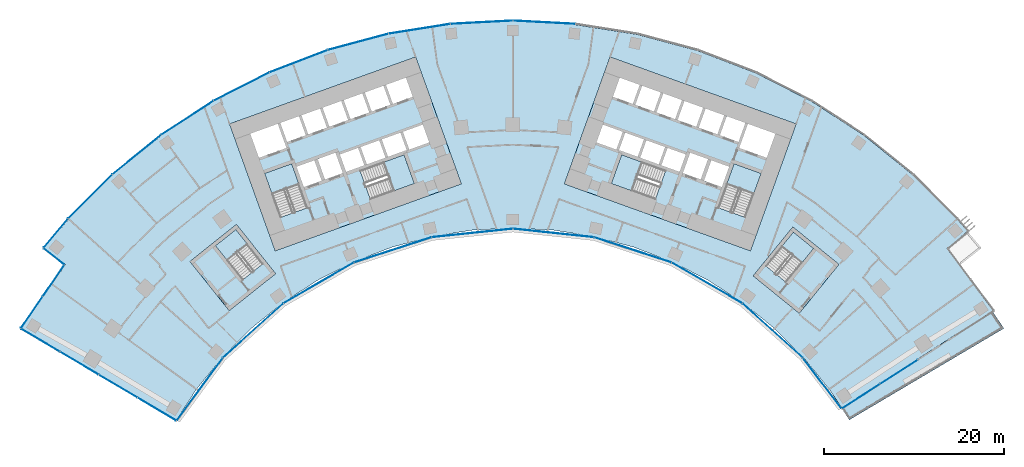
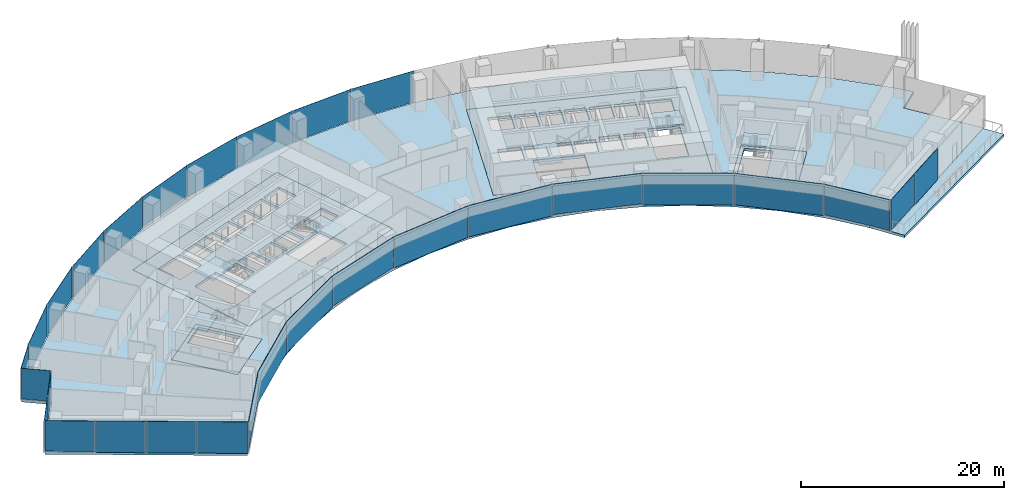
# One storey, part 12 of 21: 29 plates, 12 slabs, 12 elements without a shape of their own.
"""IFC4 building model written with IfcOpenShell, lengths in metres."""

from ifc_helpers import new_model, si_unit, direction, frame, origin, origin_2d, place, context, subcontext, project, spatial, polyline, rectangle, outline, extrude, material, layer, layer_set, type_object, element, aggregate, save


model = new_model("IFC4")

# Units and contexts
model_context = context("Model", 3, precision=1e-05, world=origin(), true_north=direction((0.0, 1.0)))
body_context = subcontext(model_context, "Body", "Model", "MODEL_VIEW")
ifc_project = project(units=[si_unit("LENGTHUNIT", "METRE"), si_unit("AREAUNIT", "SQUARE_METRE"), si_unit("VOLUMEUNIT", "CUBIC_METRE"), si_unit("PLANEANGLEUNIT", "RADIAN"), si_unit("MASSUNIT", "GRAM", prefix="KILO")], contexts=[model_context])

# Site, building, storey
site_placement = place(None, origin())
site = spatial("IfcSite", under=ifc_project, at=site_placement, CompositionType="ELEMENT")
building_placement = place(site_placement, origin())
building = spatial("IfcBuilding", under=site, at=building_placement, Name="Stone Belt Terrace Tower", CompositionType="ELEMENT")
storey_placement = place(building_placement, frame((0.0, 0.0, 45.199951171875)))
storey = spatial("IfcBuildingStorey", under=building, at=storey_placement, Name="L10", CompositionType="ELEMENT", Elevation=45.199951171875)

# Curtain wall, plates
ifc_material_1 = material(Name="Aluminium 6063-T6 anodised frame", Category="aluminium")
ifc_layer_1 = layer(ifc_material_1, 0.14990234375)
ifc_layer_set_1 = layer_set([ifc_layer_1], Name="CW-A unitised convex-face curtain wall")
curtain_wall_type_1 = type_object("IfcCurtainWallType", Name="CW-A unitised convex-face curtain wall", PredefinedType="NOTDEFINED", material=ifc_layer_set_1)
curtain_wall_1_placement = place(storey_placement, origin())
curtain_wall_1 = element("IfcCurtainWall", 1, at=curtain_wall_1_placement, inside=storey, type_object=curtain_wall_type_1, Name="CW-A convex face L10", PredefinedType="NOTDEFINED")
ifc_material_2 = material(Name="Clear double glazed unit")
ifc_layer_2 = layer(ifc_material_2, 0.031982421875)
ifc_layer_set_2 = layer_set([ifc_layer_2], Name="CW-A glass panel 32")
plate_type_1 = type_object("IfcPlateType", Name="CW-A glass panel 32", PredefinedType="CURTAIN_PANEL", material=ifc_layer_set_2)
plate_1_placement = place(storey_placement, frame((3.4794921875, 66.392822265625, 0.0), z_axis=(0.0, 0.0, 1.0), x_axis=(-0.998629534755, 0.052335956243, 0.0)))
plate_1 = element("IfcPlate", 2, at=plate_1_placement, type_object=plate_type_1, Name="CW-A panel 9.1", PredefinedType="CURTAIN_PANEL", context=body_context, shape_type="SweptSolid", body=[
    extrude(rectangle(XDim=6.90087890625, YDim=0.031982421875, at=origin_2d()), origin(), (0.0, 0.0, 1.0), 3.800048828125),
])
plate_2_placement = place(storey_placement, frame((-3.4794921875, 66.392822265625, 0.0), z_axis=(0.0, 0.0, 1.0), x_axis=(-0.998629534755, -0.052335956243, 0.0)))
plate_2 = element("IfcPlate", 3, at=plate_2_placement, type_object=plate_type_1, Name="CW-A panel 10.1", PredefinedType="CURTAIN_PANEL", context=body_context, shape_type="SweptSolid", body=[
    extrude(rectangle(XDim=6.90087890625, YDim=0.031982421875, at=origin_2d()), origin(), (0.0, 0.0, 1.0), 3.800048828125),
])
plate_3_placement = place(storey_placement, frame((-10.400390625, 65.665283203125, 0.0), z_axis=(0.0, 0.0, 1.0), x_axis=(-0.987688340595, -0.15643446504, 0.0)))
plate_3 = element("IfcPlate", 4, at=plate_3_placement, type_object=plate_type_1, Name="CW-A panel 11.1", PredefinedType="CURTAIN_PANEL", context=body_context, shape_type="SweptSolid", body=[
    extrude(rectangle(XDim=6.90087890625, YDim=0.031982421875, at=origin_2d()), origin(), (0.0, 0.0, 1.0), 3.800048828125),
])
plate_4_placement = place(storey_placement, frame((-17.207275390625, 64.218505859375, 0.0), z_axis=(0.0, 0.0, 1.0), x_axis=(-0.965925826289, -0.258819045103, 0.0)))
plate_4 = element("IfcPlate", 5, at=plate_4_placement, type_object=plate_type_1, Name="CW-A panel 12.1", PredefinedType="CURTAIN_PANEL", context=body_context, shape_type="SweptSolid", body=[
    extrude(rectangle(XDim=6.90087890625, YDim=0.031982421875, at=origin_2d()), origin(), (0.0, 0.0, 1.0), 3.800048828125),
])
plate_5_placement = place(storey_placement, frame((-23.82568359375, 62.068115234375, 0.14013671875), z_axis=(0.0, 0.0, 1.0), x_axis=(-0.933580426497, -0.358367949545, 0.0)))
plate_5 = element("IfcPlate", 6, at=plate_5_placement, type_object=plate_type_1, Name="CW-A panel 13.1", PredefinedType="CURTAIN_PANEL", context=body_context, shape_type="SweptSolid", body=[
    extrude(rectangle(XDim=6.90087890625, YDim=0.031982421875, at=origin_2d()), origin(), (0.0, 0.0, 1.0), 3.659912109375),
])
plate_6_placement = place(storey_placement, frame((-30.18310546875, 59.237548828125, 0.0), z_axis=(0.0, 0.0, 1.0), x_axis=(-0.891006524188, -0.45399049974, 0.0)))
plate_6 = element("IfcPlate", 7, at=plate_6_placement, type_object=plate_type_1, Name="CW-A panel 14.1", PredefinedType="CURTAIN_PANEL", context=body_context, shape_type="SweptSolid", body=[
    extrude(rectangle(XDim=6.90087890625, YDim=0.031982421875, at=origin_2d()), origin(), (0.0, 0.0, 1.0), 3.800048828125),
])
plate_7_placement = place(storey_placement, frame((-36.209716796875, 55.758056640625, 0.0), z_axis=(0.0, 0.0, 1.0), x_axis=(-0.838670567945, -0.544639035015, 0.0)))
plate_7 = element("IfcPlate", 8, at=plate_7_placement, type_object=plate_type_1, Name="CW-A panel 15.1", PredefinedType="CURTAIN_PANEL", context=body_context, shape_type="SweptSolid", body=[
    extrude(rectangle(XDim=6.90087890625, YDim=0.031982421875, at=origin_2d()), origin(), (0.0, 0.0, 1.0), 3.800048828125),
])
plate_8_placement = place(storey_placement, frame((-41.839599609375, 51.667724609375, 0.0), z_axis=(0.0, 0.0, 1.0), x_axis=(-0.777145961457, -0.62932039105, 0.0)))
plate_8 = element("IfcPlate", 9, at=plate_8_placement, type_object=plate_type_1, Name="CW-A panel 16.1", PredefinedType="CURTAIN_PANEL", context=body_context, shape_type="SweptSolid", body=[
    extrude(rectangle(XDim=6.90087890625, YDim=0.031982421875, at=origin_2d()), origin(), (0.0, 0.0, 1.0), 3.800048828125),
])
plate_9_placement = place(storey_placement, frame((-47.01123046875, 47.01123046875, 0.0), z_axis=(0.0, 0.0, 1.0), x_axis=(-0.707106781187, -0.707106781187, 0.0)))
plate_9 = element("IfcPlate", 10, at=plate_9_placement, type_object=plate_type_1, Name="CW-A panel 17.1", PredefinedType="CURTAIN_PANEL", context=body_context, shape_type="SweptSolid", body=[
    extrude(rectangle(XDim=6.90087890625, YDim=0.031982421875, at=origin_2d()), origin(), (0.0, 0.0, 1.0), 3.800048828125),
])
plate_10_placement = place(storey_placement, frame((-50.84423828125, 42.92626953125, 0.0), z_axis=(0.0, 0.0, 1.0), x_axis=(-0.645291395384, -0.763936525533, 0.0)))
plate_10 = element("IfcPlate", 11, at=plate_10_placement, type_object=plate_type_1, Name="CW-A panel 18.1", PredefinedType="CURTAIN_PANEL", context=body_context, shape_type="SweptSolid", body=[
    extrude(rectangle(XDim=4.17919921875, YDim=0.031982421875, at=origin_2d()), origin(), (0.0, 0.0, 1.0), 3.800048828125),
])
aggregate(curtain_wall_1, [plate_1, plate_2, plate_3, plate_4, plate_5, plate_6, plate_7, plate_8, plate_9, plate_10])

ifc_layer_3 = layer(ifc_material_1, 0.14990234375)
ifc_layer_set_3 = layer_set([ifc_layer_3], Name="CW-B unitised concave-face curtain wall")
curtain_wall_type_2 = type_object("IfcCurtainWallType", Name="CW-B unitised concave-face curtain wall", PredefinedType="NOTDEFINED", material=ifc_layer_set_3)
curtain_wall_2_placement = place(storey_placement, origin())
curtain_wall_2 = element("IfcCurtainWall", 12, at=curtain_wall_2_placement, inside=storey, type_object=curtain_wall_type_2, Name="CW-B concave face L10", PredefinedType="NOTDEFINED")
ifc_layer_4 = layer(ifc_material_2, 0.030029296875)
ifc_layer_set_4 = layer_set([ifc_layer_4], Name="CW-B glass panel 30")
plate_type_2 = type_object("IfcPlateType", Name="CW-B glass panel 30", PredefinedType="CURTAIN_PANEL", material=ifc_layer_set_4)
plate_11_placement = place(storey_placement, frame((-34.831787109375, 25.57177734375, 0.1201171875), z_axis=(0.0, 0.0, 1.0), x_axis=(0.592159017675, 0.805821132626, 0.0)))
plate_11 = element("IfcPlate", 13, at=plate_11_placement, type_object=plate_type_2, Name="CW-B panel 1.1", PredefinedType="CURTAIN_PANEL", context=body_context, shape_type="SweptSolid", body=[
    extrude(rectangle(XDim=8.583984375, YDim=0.030029296875, at=origin_2d()), origin(), (0.0, 0.0, 1.0), 3.679931640625),
])
plate_12_placement = place(storey_placement, frame((-28.897705078125, 32.09375, 0.0), z_axis=(0.0, 0.0, 1.0), x_axis=(0.743144825477, 0.669130606359, 0.0)))
plate_12 = element("IfcPlate", 14, at=plate_12_placement, type_object=plate_type_2, Name="CW-B panel 2.1", PredefinedType="CURTAIN_PANEL", context=body_context, shape_type="SweptSolid", body=[
    extrude(rectangle(XDim=9.01318359375, YDim=0.030029296875, at=origin_2d()), origin(), (0.0, 0.0, 1.0), 3.800048828125),
])
plate_13_placement = place(storey_placement, frame((-21.59326171875, 37.40087890625, 0.0), z_axis=(0.0, 0.0, 1.0), x_axis=(0.866025403784, 0.5, 0.0)))
plate_13 = element("IfcPlate", 15, at=plate_13_placement, type_object=plate_type_2, Name="CW-B panel 3.1", PredefinedType="CURTAIN_PANEL", context=body_context, shape_type="SweptSolid", body=[
    extrude(rectangle(XDim=9.0126953125, YDim=0.030029296875, at=origin_2d()), origin(), (0.0, 0.0, 1.0), 3.800048828125),
])
plate_14_placement = place(storey_placement, frame((-13.345458984375, 41.072998046875, 0.1201171875), z_axis=(0.0, 0.0, 1.0), x_axis=(0.951056516295, 0.309016994375, 0.0)))
plate_14 = element("IfcPlate", 16, at=plate_14_placement, type_object=plate_type_2, Name="CW-B panel 4.1", PredefinedType="CURTAIN_PANEL", context=body_context, shape_type="SweptSolid", body=[
    extrude(rectangle(XDim=9.0126953125, YDim=0.030029296875, at=origin_2d()), origin(), (0.0, 0.0, 1.0), 3.679931640625),
])
plate_15_placement = place(storey_placement, frame((-4.51416015625, 42.9501953125, 0.0), z_axis=(0.0, 0.0, 1.0), x_axis=(0.994521895368, 0.104528463268, 0.0)))
plate_15 = element("IfcPlate", 17, at=plate_15_placement, type_object=plate_type_2, Name="CW-B panel 5.1", PredefinedType="CURTAIN_PANEL", context=body_context, shape_type="SweptSolid", body=[
    extrude(rectangle(XDim=9.0126953125, YDim=0.030029296875, at=origin_2d()), origin(), (0.0, 0.0, 1.0), 3.800048828125),
])
plate_16_placement = place(storey_placement, frame((4.51416015625, 42.9501953125, 0.0), z_axis=(0.0, 0.0, 1.0), x_axis=(0.994521895368, -0.104528463268, 0.0)))
plate_16 = element("IfcPlate", 18, at=plate_16_placement, type_object=plate_type_2, Name="CW-B panel 6.1", PredefinedType="CURTAIN_PANEL", context=body_context, shape_type="SweptSolid", body=[
    extrude(rectangle(XDim=9.0126953125, YDim=0.030029296875, at=origin_2d()), origin(), (0.0, 0.0, 1.0), 3.800048828125),
])
plate_17_placement = place(storey_placement, frame((13.345458984375, 41.072998046875, 0.1201171875), z_axis=(0.0, 0.0, 1.0), x_axis=(0.951056516295, -0.309016994375, 0.0)))
plate_17 = element("IfcPlate", 19, at=plate_17_placement, type_object=plate_type_2, Name="CW-B panel 7.1", PredefinedType="CURTAIN_PANEL", context=body_context, shape_type="SweptSolid", body=[
    extrude(rectangle(XDim=9.0126953125, YDim=0.030029296875, at=origin_2d()), origin(), (0.0, 0.0, 1.0), 3.679931640625),
])
plate_18_placement = place(storey_placement, frame((21.59326171875, 37.40087890625, 0.0), z_axis=(0.0, 0.0, 1.0), x_axis=(0.866025403784, -0.5, 0.0)))
plate_18 = element("IfcPlate", 20, at=plate_18_placement, type_object=plate_type_2, Name="CW-B panel 8.1", PredefinedType="CURTAIN_PANEL", context=body_context, shape_type="SweptSolid", body=[
    extrude(rectangle(XDim=9.0126953125, YDim=0.030029296875, at=origin_2d()), origin(), (0.0, 0.0, 1.0), 3.800048828125),
])
plate_19_placement = place(storey_placement, frame((28.898193359375, 32.093505859375, 0.0), z_axis=(0.0, 0.0, 1.0), x_axis=(0.743144825477, -0.669130606359, 0.0)))
plate_19 = element("IfcPlate", 21, at=plate_19_placement, type_object=plate_type_2, Name="CW-B panel 9.1", PredefinedType="CURTAIN_PANEL", context=body_context, shape_type="SweptSolid", body=[
    extrude(rectangle(XDim=9.0146484375, YDim=0.030029296875, at=origin_2d()), origin(), (0.0, 0.0, 1.0), 3.800048828125),
])
plate_20_placement = place(storey_placement, frame((34.41748046875, 26.244140625, 0.1201171875), z_axis=(0.0, 0.0, 1.0), x_axis=(0.606711628938, -0.79492200832, 0.0)))
plate_20 = element("IfcPlate", 22, at=plate_20_placement, type_object=plate_type_2, Name="CW-B panel 10.1", PredefinedType="CURTAIN_PANEL", context=body_context, shape_type="SweptSolid", body=[
    extrude(rectangle(XDim=7.010986328125, YDim=0.030029296875, at=origin_2d()), origin(), (0.0, 0.0, 1.0), 3.679931640625),
])
aggregate(curtain_wall_2, [plate_11, plate_12, plate_13, plate_14, plate_15, plate_16, plate_17, plate_18, plate_19, plate_20])

ifc_layer_5 = layer(ifc_material_1, 0.14990234375)
ifc_layer_set_5 = layer_set([ifc_layer_5], Name="CW-C stick curtain wall, horn ends and notches")
curtain_wall_type_3 = type_object("IfcCurtainWallType", Name="CW-C stick curtain wall, horn ends and notches", PredefinedType="NOTDEFINED", material=ifc_layer_set_5)
curtain_wall_3_placement = place(storey_placement, origin())
curtain_wall_3 = element("IfcCurtainWall", 23, at=curtain_wall_3_placement, inside=storey, type_object=curtain_wall_type_3, Name="CW-C end face L10", PredefinedType="NOTDEFINED")
ifc_layer_6 = layer(ifc_material_2, 0.028076171875)
ifc_layer_set_6 = layer_set([ifc_layer_6], Name="CW-C glass panel 28")
plate_type_3 = type_object("IfcPlateType", Name="CW-C glass panel 28", PredefinedType="CURTAIN_PANEL", material=ifc_layer_set_6)
plate_21_placement = place(storey_placement, frame((38.737060546875, 24.78369140625, 0.1201171875), z_axis=(0.0, 0.0, 1.0), x_axis=(0.841470984807, 0.540302305869, 0.0)))
plate_21 = element("IfcPlate", 24, at=plate_21_placement, type_object=plate_type_3, Name="CW-C panel 1.1", PredefinedType="CURTAIN_PANEL", context=body_context, shape_type="SweptSolid", body=[
    extrude(rectangle(XDim=4.96630859375, YDim=0.028076171875, at=origin_2d()), origin(), (0.0, 0.0, 1.0), 3.679931640625),
])
plate_22_placement = place(storey_placement, frame((42.95556640625, 27.4921875, 0.0), z_axis=(0.0, 0.0, 1.0), x_axis=(0.841470984807, 0.540302305869, 0.0)))
plate_22 = element("IfcPlate", 25, at=plate_22_placement, type_object=plate_type_3, Name="CW-C panel 2.1", PredefinedType="CURTAIN_PANEL", context=body_context, shape_type="SweptSolid", body=[
    extrude(rectangle(XDim=4.93994140625, YDim=0.028076171875, at=origin_2d()), origin(), (0.0, 0.0, 1.0), 3.800048828125),
])
aggregate(curtain_wall_3, [plate_21, plate_22])

# Curtain wall, plate
curtain_wall_4_placement = place(storey_placement, origin())
curtain_wall_4 = element("IfcCurtainWall", 26, at=curtain_wall_4_placement, inside=storey, type_object=curtain_wall_type_3, Name="CW-C notch face L10", PredefinedType="NOTDEFINED")
plate_23_placement = place(storey_placement, frame((-51.061279296875, 40.3388671875, 0.1201171875), z_axis=(0.0, 0.0, 1.0), x_axis=(0.783963828584, -0.620806504051, 0.0)))
plate_23 = element("IfcPlate", 27, at=plate_23_placement, type_object=plate_type_3, Name="CW-C panel 1.1", PredefinedType="CURTAIN_PANEL", context=body_context, shape_type="SweptSolid", body=[
    extrude(rectangle(XDim=2.859375, YDim=0.028076171875, at=origin_2d()), origin(), (0.0, 0.0, 1.0), 3.679931640625),
])
aggregate(curtain_wall_4, [plate_23])

# Curtain wall, plates
curtain_wall_5_placement = place(storey_placement, origin())
curtain_wall_5 = element("IfcCurtainWall", 28, at=curtain_wall_5_placement, inside=storey, type_object=curtain_wall_type_3, Name="CW-C notch face L10", PredefinedType="NOTDEFINED")
plate_24_placement = place(storey_placement, frame((-51.091552734375, 37.647705078125, 0.1201171875), z_axis=(0.0, 0.0, 1.0), x_axis=(-0.566375967567, -0.824146991357, 0.0)))
plate_24 = element("IfcPlate", 29, at=plate_24_placement, type_object=plate_type_3, Name="CW-C panel 1.1", PredefinedType="CURTAIN_PANEL", context=body_context, shape_type="SweptSolid", body=[
    extrude(rectangle(XDim=4.12060546875, YDim=0.028076171875, at=origin_2d()), origin(), (0.0, 0.0, 1.0), 3.679931640625),
])
plate_25_placement = place(storey_placement, frame((-53.501220703125, 34.141357421875, 0.0), z_axis=(0.0, 0.0, 1.0), x_axis=(-0.566375967567, -0.824146991357, 0.0)))
plate_25 = element("IfcPlate", 30, at=plate_25_placement, type_object=plate_type_3, Name="CW-C panel 2.1", PredefinedType="CURTAIN_PANEL", context=body_context, shape_type="SweptSolid", body=[
    extrude(rectangle(XDim=4.268798828125, YDim=0.028076171875, at=origin_2d()), origin(), (0.0, 0.0, 1.0), 3.800048828125),
])
aggregate(curtain_wall_5, [plate_24, plate_25])

curtain_wall_6_placement = place(storey_placement, origin())
curtain_wall_6 = element("IfcCurtainWall", 31, at=curtain_wall_6_placement, inside=storey, type_object=curtain_wall_type_3, Name="CW-C end face L10", PredefinedType="NOTDEFINED")
plate_26_placement = place(storey_placement, frame((-52.54736328125, 31.014892578125, 0.1201171875), z_axis=(0.0, 0.0, 1.0), x_axis=(0.860557728521, -0.509352918793, 0.0)))
plate_26 = element("IfcPlate", 32, at=plate_26_placement, type_object=plate_type_3, Name="CW-C panel 1.1", PredefinedType="CURTAIN_PANEL", context=body_context, shape_type="SweptSolid", body=[
    extrude(rectangle(XDim=4.974853515625, YDim=0.028076171875, at=origin_2d()), origin(), (0.0, 0.0, 1.0), 3.679931640625),
])
plate_27_placement = place(storey_placement, frame((-48.2294921875, 28.459228515625, 0.0), z_axis=(0.0, 0.0, 1.0), x_axis=(0.860557728521, -0.509352918793, 0.0)))
plate_27 = element("IfcPlate", 33, at=plate_27_placement, type_object=plate_type_3, Name="CW-C panel 2.1", PredefinedType="CURTAIN_PANEL", context=body_context, shape_type="SweptSolid", body=[
    extrude(rectangle(XDim=4.93994140625, YDim=0.028076171875, at=origin_2d()), origin(), (0.0, 0.0, 1.0), 3.800048828125),
])
plate_28_placement = place(storey_placement, frame((-43.9267578125, 25.912353515625, 0.0), z_axis=(0.0, 0.0, 1.0), x_axis=(0.860557728521, -0.509352918793, 0.0)))
plate_28 = element("IfcPlate", 34, at=plate_28_placement, type_object=plate_type_3, Name="CW-C panel 3.1", PredefinedType="CURTAIN_PANEL", context=body_context, shape_type="SweptSolid", body=[
    extrude(rectangle(XDim=4.93994140625, YDim=0.028076171875, at=origin_2d()), origin(), (0.0, 0.0, 1.0), 3.800048828125),
])
plate_29_placement = place(storey_placement, frame((-39.613037109375, 23.359130859375, 0.0), z_axis=(0.0, 0.0, 1.0), x_axis=(0.860557728521, -0.509352918793, 0.0)))
plate_29 = element("IfcPlate", 35, at=plate_29_placement, type_object=plate_type_3, Name="CW-C panel 4.1", PredefinedType="CURTAIN_PANEL", context=body_context, shape_type="SweptSolid", body=[
    extrude(rectangle(XDim=4.96533203125, YDim=0.028076171875, at=origin_2d()), origin(), (0.0, 0.0, 1.0), 3.800048828125),
])
aggregate(curtain_wall_6, [plate_26, plate_27, plate_28, plate_29])

# Slabs
ifc_material_3 = material(Name="Concrete B40", Category="concrete")
ifc_layer_7 = layer(ifc_material_3, 0.320068359375)
ifc_layer_set_7 = layer_set([ifc_layer_7], Name="Core floor slab 320")
slab_type_1 = type_object("IfcSlabType", Name="Core floor slab 320", PredefinedType="FLOOR", material=ifc_layer_set_7)
slab_1_placement = place(storey_placement, frame((0.0, 0.0, -0.320068359375)))
element("IfcSlab", 36, at=slab_1_placement, inside=storey, type_object=slab_type_1, Name="Core A floor L10", PredefinedType="FLOOR", context=body_context, shape_type="SweptSolid", body=[
    extrude(outline(polyline([(-26.43505859375, 40.968994140625), (-5.735107421875, 48.4189453125), (-10.81396484375, 62.531982421875), (-31.513916015625, 55.0830078125), (-26.43505859375, 40.968994140625)]), holes=[polyline([(-24.60791015625, 50.659912109375), (-22.847900390625, 45.76806640625), (-25.85888671875, 44.68408203125), (-27.618896484375, 49.575927734375), (-24.60791015625, 50.659912109375)]), polyline([(-21.27392578125, 48.778076171875), (-23.25, 48.06689453125), (-24.06298828125, 50.324951171875), (-22.0869140625, 51.035888671875), (-21.27392578125, 48.778076171875)]), polyline([(-18.922119140625, 49.6240234375), (-20.89794921875, 48.9130859375), (-21.7109375, 51.1708984375), (-19.735107421875, 51.883056640625), (-18.922119140625, 49.6240234375)]), polyline([(-19.239990234375, 51.68896484375), (-17.217041015625, 52.4169921875), (-16.52294921875, 50.488037109375), (-18.5458984375, 49.760009765625), (-19.239990234375, 51.68896484375)]), polyline([(-29.2109375, 53.9990234375), (-26.153076171875, 55.09912109375), (-25.18798828125, 52.41796875), (-28.24609375, 51.31689453125), (-29.2109375, 53.9990234375)]), polyline([(-23.801025390625, 55.946044921875), (-23.0390625, 53.8291015625), (-25.10888671875, 53.083984375), (-25.87109375, 55.200927734375), (-23.801025390625, 55.946044921875)]), polyline([(-21.447998046875, 56.7919921875), (-20.68603515625, 54.675048828125), (-22.756103515625, 53.929931640625), (-23.51806640625, 56.047119140625), (-21.447998046875, 56.7919921875)]), polyline([(-19.095947265625, 57.638916015625), (-18.333984375, 55.52197265625), (-20.404052734375, 54.777099609375), (-21.166015625, 56.89404296875), (-19.095947265625, 57.638916015625)]), polyline([(-15.846923828125, 46.69189453125), (-16.998046875, 49.89208984375), (-12.10595703125, 51.652099609375), (-10.955078125, 48.452880859375), (-15.846923828125, 46.69189453125)]), polyline([(-16.239990234375, 50.589111328125), (-16.93408203125, 52.51806640625), (-14.864013671875, 53.262939453125), (-14.169921875, 51.333984375), (-16.239990234375, 50.589111328125)]), polyline([(-11.801025390625, 52.134033203125), (-11.847900390625, 52.116943359375), (-11.864990234375, 52.1640625), (-13.887939453125, 51.43603515625), (-14.58203125, 53.364990234375), (-12.511962890625, 54.110107421875), (-11.801025390625, 52.134033203125)]), polyline([(-9.30810546875, 53.031005859375), (-11.51904296875, 52.235107421875), (-12.22998046875, 54.2109375), (-10.01904296875, 55.007080078125), (-9.30810546875, 53.031005859375)]), polyline([(-16.743896484375, 58.485107421875), (-15.98193359375, 56.367919921875), (-18.052001953125, 55.623046875), (-18.81396484375, 57.739990234375), (-16.743896484375, 58.485107421875)]), polyline([(-14.39111328125, 59.33203125), (-13.6298828125, 57.215087890625), (-15.699951171875, 56.469970703125), (-16.4609375, 58.5869140625), (-14.39111328125, 59.33203125)]), polyline([(-11.89794921875, 60.22900390625), (-11.135986328125, 58.112060546875), (-13.346923828125, 57.31591796875), (-14.10888671875, 59.43408203125), (-11.89794921875, 60.22900390625)])]), origin(), (0.0, 0.0, 1.0), 0.320068359375),
])
slab_2_placement = place(storey_placement, frame((0.0, 0.0, -0.320068359375)))
element("IfcSlab", 37, at=slab_2_placement, inside=storey, type_object=slab_type_1, Name="Core B floor L10", PredefinedType="FLOOR", context=body_context, shape_type="SweptSolid", body=[
    extrude(outline(polyline([(26.43505859375, 40.968994140625), (31.513916015625, 55.0830078125), (10.81396484375, 62.531982421875), (5.735107421875, 48.4189453125), (26.43505859375, 40.968994140625)]), holes=[polyline([(12.10595703125, 51.652099609375), (16.998046875, 49.89208984375), (15.846923828125, 46.69189453125), (10.955078125, 48.452880859375), (12.10595703125, 51.652099609375)]), polyline([(19.239990234375, 51.68896484375), (18.5458984375, 49.760009765625), (16.52294921875, 50.488037109375), (17.217041015625, 52.4169921875), (19.239990234375, 51.68896484375)]), polyline([(16.239990234375, 50.589111328125), (14.169921875, 51.333984375), (14.864013671875, 53.262939453125), (16.93408203125, 52.51806640625), (16.239990234375, 50.589111328125)]), polyline([(14.58203125, 53.364990234375), (13.887939453125, 51.43603515625), (11.864990234375, 52.1640625), (11.847900390625, 52.116943359375), (11.801025390625, 52.134033203125), (12.511962890625, 54.110107421875), (14.58203125, 53.364990234375)]), polyline([(9.30810546875, 53.031005859375), (10.01904296875, 55.007080078125), (12.22998046875, 54.2109375), (11.51904296875, 52.235107421875), (9.30810546875, 53.031005859375)]), polyline([(16.743896484375, 58.485107421875), (18.81396484375, 57.739990234375), (18.052001953125, 55.623046875), (15.98193359375, 56.367919921875), (16.743896484375, 58.485107421875)]), polyline([(14.39111328125, 59.33203125), (16.4609375, 58.5869140625), (15.699951171875, 56.469970703125), (13.6298828125, 57.215087890625), (14.39111328125, 59.33203125)]), polyline([(11.89794921875, 60.22900390625), (14.10888671875, 59.43408203125), (13.346923828125, 57.31591796875), (11.135986328125, 58.112060546875), (11.89794921875, 60.22900390625)]), polyline([(25.85888671875, 44.68408203125), (22.847900390625, 45.76806640625), (24.60791015625, 50.659912109375), (27.618896484375, 49.575927734375), (25.85888671875, 44.68408203125)]), polyline([(21.27392578125, 48.778076171875), (22.0869140625, 51.035888671875), (24.06298828125, 50.324951171875), (23.25, 48.06689453125), (21.27392578125, 48.778076171875)]), polyline([(18.922119140625, 49.6240234375), (19.735107421875, 51.883056640625), (21.7109375, 51.1708984375), (20.89794921875, 48.9130859375), (18.922119140625, 49.6240234375)]), polyline([(29.2109375, 53.9990234375), (28.24609375, 51.31689453125), (25.18798828125, 52.41796875), (26.153076171875, 55.09912109375), (29.2109375, 53.9990234375)]), polyline([(23.801025390625, 55.946044921875), (25.87109375, 55.200927734375), (25.10888671875, 53.083984375), (23.0390625, 53.8291015625), (23.801025390625, 55.946044921875)]), polyline([(21.447998046875, 56.7919921875), (23.51806640625, 56.047119140625), (22.756103515625, 53.929931640625), (20.68603515625, 54.675048828125), (21.447998046875, 56.7919921875)]), polyline([(19.095947265625, 57.638916015625), (21.166015625, 56.89404296875), (20.404052734375, 54.777099609375), (18.333984375, 55.52197265625), (19.095947265625, 57.638916015625)])]), origin(), (0.0, 0.0, 1.0), 0.320068359375),
])
slab_3_placement = place(storey_placement, frame((0.0, 0.0, -0.320068359375)))
element("IfcSlab", 38, at=slab_3_placement, inside=storey, type_object=slab_type_1, Name="Exit stair ST3A floor L10", PredefinedType="FLOOR", context=body_context, shape_type="SweptSolid", body=[
    extrude(outline(polyline([(-26.39404296875, 38.425048828125), (-30.756103515625, 43.89990234375), (-35.91796875, 39.787109375), (-31.555908203125, 34.31298828125), (-26.39404296875, 38.425048828125)]), holes=[polyline([(-27.798095703125, 39.544921875), (-30.06591796875, 37.738037109375), (-33.087890625, 41.531005859375), (-30.820068359375, 43.337890625), (-27.798095703125, 39.544921875)])]), origin(), (0.0, 0.0, 1.0), 0.320068359375),
])
slab_4_placement = place(storey_placement, frame((0.0, 0.0, -0.320068359375)))
element("IfcSlab", 39, at=slab_4_placement, inside=storey, type_object=slab_type_1, Name="Exit stair ST3B floor L10", PredefinedType="FLOOR", context=body_context, shape_type="SweptSolid", body=[
    extrude(outline(polyline([(26.741943359375, 38.18408203125), (31.866943359375, 34.02392578125), (36.278076171875, 39.458984375), (31.154052734375, 43.618896484375), (26.741943359375, 38.18408203125)]), holes=[polyline([(30.407958984375, 37.462890625), (28.156005859375, 39.291015625), (31.2119140625, 43.055908203125), (33.464111328125, 41.22802734375), (30.407958984375, 37.462890625)])]), origin(), (0.0, 0.0, 1.0), 0.320068359375),
])
ifc_layer_8 = layer(ifc_material_3, 0.320068359375)
ifc_layer_set_8 = layer_set([ifc_layer_8], Name="Floor slab 320 B40")
slab_type_2 = type_object("IfcSlabType", Name="Floor slab 320 B40", PredefinedType="FLOOR", material=ifc_layer_set_8)
slab_5_placement = place(storey_placement, frame((0.0, 0.0, -0.320068359375)))
element("IfcSlab", 40, at=slab_5_placement, inside=storey, type_object=slab_type_2, Name="Floor slab L10", PredefinedType="FLOOR", context=body_context, shape_type="SweptSolid", body=[
    extrude(outline(polyline([(-49.419189453125, 44.497314453125), (-44.497314453125, 49.419189453125), (-39.087646484375, 53.799560546875), (-33.25, 57.5908203125), (-27.048095703125, 60.750732421875), (-20.549560546875, 63.245361328125), (-13.826171875, 65.046875), (-6.951171875, 66.1357421875), (0.0, 66.5), (6.951171875, 66.1357421875), (13.826171875, 65.046875), (20.549560546875, 63.245361328125), (27.048095703125, 60.750732421875), (33.25, 57.5908203125), (39.087646484375, 53.799560546875), (44.497314453125, 49.419189453125), (49.419189453125, 44.497314453125), (50.59814453125, 43.151611328125), (48.315673828125, 41.205078125), (53.433349609375, 34.30908203125), (36.60400390625, 23.503173828125), (35.192138671875, 25.568603515625), (32.326904296875, 29.107177734375), (29.107177734375, 32.326904296875), (25.568603515625, 35.192138671875), (21.75, 37.672119140625), (17.693115234375, 39.7392578125), (13.442138671875, 41.37109375), (9.044189453125, 42.54931640625), (4.547119140625, 43.26171875), (0.0, 43.5), (-4.547119140625, 43.26171875), (-9.044189453125, 42.54931640625), (-13.442138671875, 41.37109375), (-17.693115234375, 39.7392578125), (-21.75, 37.672119140625), (-25.568603515625, 35.192138671875), (-29.107177734375, 32.326904296875), (-32.326904296875, 29.107177734375), (-35.192138671875, 25.568603515625), (-37.434326171875, 22.156982421875), (-54.6455078125, 32.343994140625), (-49.78173828125, 39.421142578125), (-52.133544921875, 41.28369140625), (-49.419189453125, 44.497314453125)]), holes=[polyline([(-26.434814453125, 40.968994140625), (-5.734619140625, 48.418701171875), (-10.81396484375, 62.532470703125), (-31.51416015625, 55.082763671875), (-26.434814453125, 40.968994140625)]), polyline([(10.81396484375, 62.532470703125), (5.734619140625, 48.418701171875), (26.434814453125, 40.968994140625), (31.51416015625, 55.082763671875), (10.81396484375, 62.532470703125)]), polyline([(-35.91796875, 39.787353515625), (-31.55615234375, 34.3125), (-26.39404296875, 38.425048828125), (-30.756103515625, 43.89990234375), (-35.91796875, 39.787353515625)]), polyline([(36.2783203125, 39.459228515625), (31.15380859375, 43.61865234375), (26.742431640625, 38.18359375), (31.86669921875, 34.024169921875), (36.2783203125, 39.459228515625)])]), origin(), (0.0, 0.0, 1.0), 0.320068359375),
])

# Stair, slab
stair_type = type_object("IfcStairType", Name="Exit stair 1500", PredefinedType="HALF_TURN_STAIR", material=ifc_material_3)
stair_1_placement = place(storey_placement, origin())
stair_1 = element("IfcStair", 41, at=stair_1_placement, inside=storey, type_object=stair_type, Name="L10 Exit stair 1 core A", PredefinedType="HALF_TURN_STAIR")
ifc_layer_9 = layer(ifc_material_3, 0.199951171875)
ifc_layer_set_9 = layer_set([ifc_layer_9], Name="Stair landing 200")
slab_type_3 = type_object("IfcSlabType", Name="Stair landing 200", PredefinedType="LANDING", material=ifc_layer_set_9)
slab_6_placement = place(storey_placement, frame((0.0, 0.0, 1.699951171875)))
slab_6 = element("IfcSlab", 42, at=slab_6_placement, type_object=slab_type_3, Name="ST1A landing 1", PredefinedType="LANDING", context=body_context, shape_type="SweptSolid", body=[
    extrude(outline(polyline([(-23.79541015625, 48.40087890625), (-24.6083984375, 50.659912109375), (-27.619384765625, 49.576171875), (-26.806396484375, 47.3173828125), (-23.79541015625, 48.40087890625)])), origin(), (0.0, 0.0, 1.0), 0.2001953125),
])
aggregate(stair_1, [slab_6])

stair_2_placement = place(storey_placement, origin())
stair_2 = element("IfcStair", 43, at=stair_2_placement, inside=storey, type_object=stair_type, Name="L10 Exit stair 2 core A", PredefinedType="HALF_TURN_STAIR")
slab_7_placement = place(storey_placement, frame((0.0, 0.0, 1.699951171875)))
slab_7 = element("IfcSlab", 44, at=slab_7_placement, type_object=slab_type_3, Name="ST2A landing 1", PredefinedType="LANDING", context=body_context, shape_type="SweptSolid", body=[
    extrude(outline(polyline([(-13.213623046875, 47.64013671875), (-10.95458984375, 48.453125), (-12.10595703125, 51.652099609375), (-14.36474609375, 50.839111328125), (-13.213623046875, 47.64013671875)])), origin(), (0.0, 0.0, 1.0), 0.2001953125),
])
aggregate(stair_2, [slab_7])

stair_3_placement = place(storey_placement, origin())
stair_3 = element("IfcStair", 45, at=stair_3_placement, inside=storey, type_object=stair_type, Name="L10 Exit stair 1 core B", PredefinedType="HALF_TURN_STAIR")
slab_8_placement = place(storey_placement, frame((0.0, 0.0, 1.699951171875)))
slab_8 = element("IfcSlab", 46, at=slab_8_placement, type_object=slab_type_3, Name="ST1B landing 1", PredefinedType="LANDING", context=body_context, shape_type="SweptSolid", body=[
    extrude(outline(polyline([(26.806396484375, 47.3173828125), (27.619384765625, 49.576171875), (24.6083984375, 50.659912109375), (23.79541015625, 48.40087890625), (26.806396484375, 47.3173828125)])), origin(), (0.0, 0.0, 1.0), 0.2001953125),
])
aggregate(stair_3, [slab_8])

stair_4_placement = place(storey_placement, origin())
stair_4 = element("IfcStair", 47, at=stair_4_placement, inside=storey, type_object=stair_type, Name="L10 Exit stair 2 core B", PredefinedType="HALF_TURN_STAIR")
slab_9_placement = place(storey_placement, frame((0.0, 0.0, 1.699951171875)))
slab_9 = element("IfcSlab", 48, at=slab_9_placement, type_object=slab_type_3, Name="ST2B landing 1", PredefinedType="LANDING", context=body_context, shape_type="SweptSolid", body=[
    extrude(outline(polyline([(14.36474609375, 50.839111328125), (12.10595703125, 51.652099609375), (10.95458984375, 48.453125), (13.213623046875, 47.64013671875), (14.36474609375, 50.839111328125)])), origin(), (0.0, 0.0, 1.0), 0.2001953125),
])
aggregate(stair_4, [slab_9])

stair_5_placement = place(storey_placement, origin())
stair_5 = element("IfcStair", 49, at=stair_5_placement, inside=storey, type_object=stair_type, Name="L10 Exit stair 3A", PredefinedType="HALF_TURN_STAIR")
slab_10_placement = place(storey_placement, frame((0.0, 0.0, 1.699951171875)))
slab_10 = element("IfcSlab", 50, at=slab_10_placement, type_object=slab_type_3, Name="ST3A landing 1", PredefinedType="LANDING", context=body_context, shape_type="SweptSolid", body=[
    extrude(outline(polyline([(-29.541748046875, 41.73388671875), (-30.819580078125, 43.337890625), (-33.087646484375, 41.53076171875), (-31.809814453125, 39.9267578125), (-29.541748046875, 41.73388671875)])), origin(), (0.0, 0.0, 1.0), 0.2001953125),
])
aggregate(stair_5, [slab_10])

stair_6_placement = place(storey_placement, origin())
stair_6 = element("IfcStair", 51, at=stair_6_placement, inside=storey, type_object=stair_type, Name="L10 Exit stair 3B", PredefinedType="HALF_TURN_STAIR")
slab_11_placement = place(storey_placement, frame((0.0, 0.0, 1.699951171875)))
slab_11 = element("IfcSlab", 52, at=slab_11_placement, type_object=slab_type_3, Name="ST3B landing 1", PredefinedType="LANDING", context=body_context, shape_type="SweptSolid", body=[
    extrude(outline(polyline([(32.17138671875, 39.635986328125), (33.4638671875, 41.228271484375), (31.21240234375, 43.055908203125), (29.919921875, 41.463623046875), (32.17138671875, 39.635986328125)])), origin(), (0.0, 0.0, 1.0), 0.2001953125),
])
aggregate(stair_6, [slab_11])

# Slab
ifc_layer_10 = layer(ifc_material_3, 0.300048828125)
ifc_layer_set_10 = layer_set([ifc_layer_10], Name="Terrace slab 300 B40")
slab_type_4 = type_object("IfcSlabType", Name="Terrace slab 300 B40", PredefinedType="FLOOR", material=ifc_layer_set_10)
slab_12_placement = place(storey_placement, frame((0.0, 0.0, -0.300048828125)))
element("IfcSlab", 53, at=slab_12_placement, inside=storey, type_object=slab_type_4, Name="Terrace slab L10-stack_terrace-1", PredefinedType="FLOOR", context=body_context, shape_type="SweptSolid", body=[
    extrude(outline(polyline([(37.434326171875, 22.156982421875), (54.6455078125, 32.343994140625), (53.337158203125, 34.24755859375), (36.60400390625, 23.503173828125), (35.310791015625, 25.395263671875), (35.3076171875, 25.393310546875), (37.434326171875, 22.156982421875)])), origin(), (0.0, 0.0, 1.0), 0.300048828125),
])

save(model, "model.ifc")
